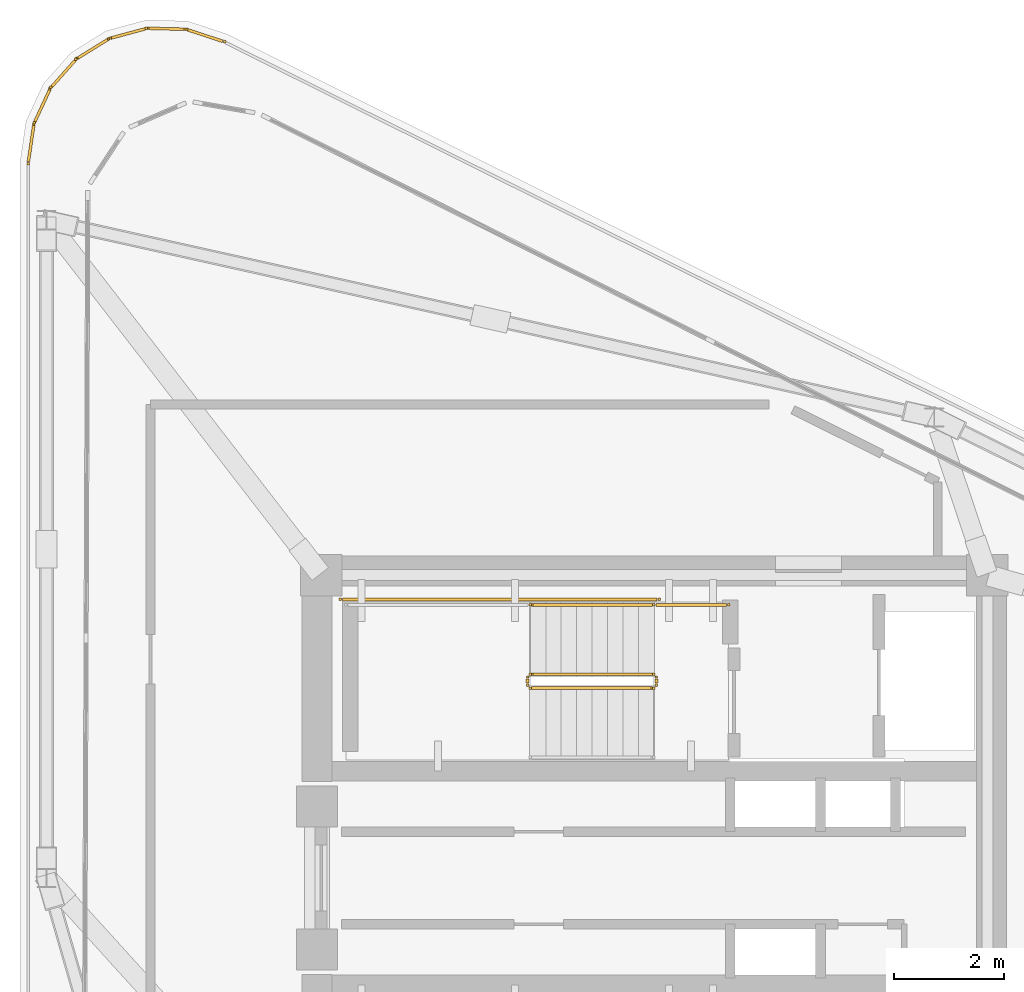
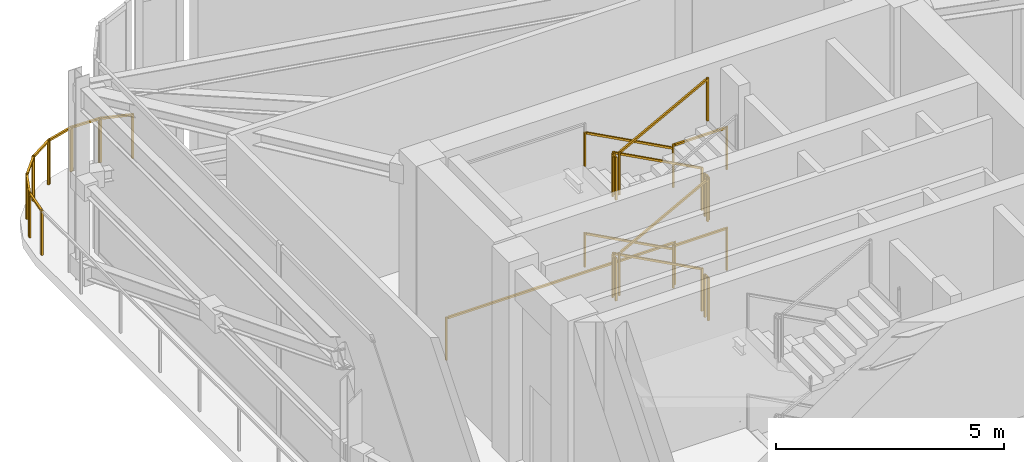
# One storey, part 8 of 9: 20 railings.
"""IFC4 building model written with IfcOpenShell, lengths in metres."""

from ifc_helpers import new_model, si_unit, direction, frame, origin, origin_2d, place, context, subcontext, project, spatial, rectangle, extrude, material, type_object, element, save


model = new_model("IFC4")

# Units and contexts
model_context = context("Model", 3, precision=1e-05, world=origin(), true_north=direction((0.0, 1.0)))
body_context = subcontext(model_context, "Body", "Model", "MODEL_VIEW")
ifc_project = project(units=[si_unit("LENGTHUNIT", "METRE"), si_unit("AREAUNIT", "SQUARE_METRE"), si_unit("VOLUMEUNIT", "CUBIC_METRE"), si_unit("PLANEANGLEUNIT", "RADIAN"), si_unit("MASSUNIT", "GRAM", prefix="KILO")], contexts=[model_context])

# Site, building, storey
site_placement = place(None, origin())
site = spatial("IfcSite", under=ifc_project, at=site_placement, CompositionType="ELEMENT")
building_placement = place(site_placement, origin())
building = spatial("IfcBuilding", under=site, at=building_placement, Name="Yunling Apex Tower", CompositionType="ELEMENT")
storey_placement = place(building_placement, frame((0.0, 0.0, 317.449951171875)))
storey = spatial("IfcBuildingStorey", under=building, at=storey_placement, Name="C01", CompositionType="ELEMENT", Elevation=317.449951171875)

# Railings
ifc_material_1 = material(Name="Bronze anodised aluminium", Category="aluminium")
railing_type_1 = type_object("IfcRailingType", Name="RL-BAL-1200", PredefinedType="BALUSTRADE", material=ifc_material_1)
railing_1_placement = place(storey_placement, frame((-11.37158203125, 12.97607421875, 0.0)))
element("IfcRailing", 1, at=railing_1_placement, inside=storey, type_object=railing_type_1, Name="RL-CRN-PERIM-C01-02", PredefinedType="BALUSTRADE", context=body_context, shape_type="SweptSolid", body=[
    extrude(rectangle(XDim=0.0439453125, YDim=0.0439453125, at=origin_2d()), origin(), (0.0, 0.0, 1.0), 1.199951171875),
    extrude(rectangle(XDim=0.0439453125, YDim=0.0439453125, at=origin_2d()), frame((0.1083984375, 0.741455078125, 0.0)), (0.0, 0.0, 1.0), 1.199951171875),
    extrude(rectangle(XDim=0.050048828125, YDim=0.050048828125, at=origin_2d()), frame((0.005615234375, 0.037841796875, 1.1748046875), z_axis=(0.144659139675, 0.989481547735, 0.0), x_axis=(-0.989481547735, 0.144659139675, 0.0)), (0.0, 0.0, 1.0), 0.672607421875),
])
railing_2_placement = place(storey_placement, frame((-11.271484375, 13.689208984375, 0.0)))
element("IfcRailing", 2, at=railing_2_placement, inside=storey, type_object=railing_type_1, Name="RL-CRN-PERIM-C01-03", PredefinedType="BALUSTRADE", context=body_context, shape_type="SweptSolid", body=[
    extrude(rectangle(XDim=0.0439453125, YDim=0.0439453125, at=origin_2d()), origin(), (0.0, 0.0, 1.0), 1.199951171875),
    extrude(rectangle(XDim=0.0439453125, YDim=0.0439453125, at=origin_2d()), frame((0.3115234375, 0.66943359375, 0.0)), (0.0, 0.0, 1.0), 1.199951171875),
    extrude(rectangle(XDim=0.050048828125, YDim=0.050048828125, at=origin_2d()), frame((0.01611328125, 0.03466796875, 1.1748046875), z_axis=(0.42190775415, 0.906638763228, 0.0), x_axis=(-0.906638763228, 0.42190775415, 0.0)), (0.0, 0.0, 1.0), 0.66162109375),
])
railing_3_placement = place(storey_placement, frame((-10.976318359375, 14.333740234375, 0.0)))
element("IfcRailing", 3, at=railing_3_placement, inside=storey, type_object=railing_type_1, Name="RL-CRN-PERIM-C01-04", PredefinedType="BALUSTRADE", context=body_context, shape_type="SweptSolid", body=[
    extrude(rectangle(XDim=0.0439453125, YDim=0.0439453125, at=origin_2d()), origin(), (0.0, 0.0, 1.0), 1.199951171875),
    extrude(rectangle(XDim=0.0439453125, YDim=0.0439453125, at=origin_2d()), frame((0.490234375, 0.55224609375, 0.0)), (0.0, 0.0, 1.0), 1.199951171875),
    extrude(rectangle(XDim=0.050048828125, YDim=0.050048828125, at=origin_2d()), frame((0.025390625, 0.028564453125, 1.1748046875), z_axis=(0.663871195013, 0.747846933825, 0.0), x_axis=(-0.747846933825, 0.663871195013, 0.0)), (0.0, 0.0, 1.0), 0.661865234375),
])
railing_4_placement = place(storey_placement, frame((-10.5087890625, 14.866943359375, 0.0)))
element("IfcRailing", 4, at=railing_4_placement, inside=storey, type_object=railing_type_1, Name="RL-CRN-PERIM-C01-05", PredefinedType="BALUSTRADE", context=body_context, shape_type="SweptSolid", body=[
    extrude(rectangle(XDim=0.0439453125, YDim=0.0439453125, at=origin_2d()), origin(), (0.0, 0.0, 1.0), 1.199951171875),
    extrude(rectangle(XDim=0.0439453125, YDim=0.0439453125, at=origin_2d()), frame((0.627685546875, 0.388671875, 0.0)), (0.0, 0.0, 1.0), 1.199951171875),
    extrude(rectangle(XDim=0.050048828125, YDim=0.050048828125, at=origin_2d()), frame((0.032470703125, 0.020263671875, 1.1748046875), z_axis=(0.850201713258, 0.526457070209, 0.0), x_axis=(-0.526457070209, 0.850201713258, 0.0)), (0.0, 0.0, 1.0), 0.66162109375),
])
railing_5_placement = place(storey_placement, frame((-9.908203125, 15.243896484375, 0.0)))
element("IfcRailing", 5, at=railing_5_placement, inside=storey, type_object=railing_type_1, Name="RL-CRN-PERIM-C01-06", PredefinedType="BALUSTRADE", context=body_context, shape_type="SweptSolid", body=[
    extrude(rectangle(XDim=0.0439453125, YDim=0.0439453125, at=origin_2d()), origin(), (0.0, 0.0, 1.0), 1.199951171875),
    extrude(rectangle(XDim=0.0439453125, YDim=0.0439453125, at=origin_2d()), frame((0.712890625, 0.19287109375, 0.0)), (0.0, 0.0, 1.0), 1.199951171875),
    extrude(rectangle(XDim=0.050048828125, YDim=0.050048828125, at=origin_2d()), frame((0.037109375, 0.010009765625, 1.1748046875), z_axis=(0.965295849321, 0.261158808549, 0.0), x_axis=(-0.261158808549, 0.965295849321, 0.0)), (0.0, 0.0, 1.0), 0.661865234375),
])
railing_6_placement = place(storey_placement, frame((-9.224853515625, 15.43310546875, 0.0)))
element("IfcRailing", 6, at=railing_6_placement, inside=storey, type_object=railing_type_1, Name="RL-CRN-PERIM-C01-07", PredefinedType="BALUSTRADE", context=body_context, shape_type="SweptSolid", body=[
    extrude(rectangle(XDim=0.0439453125, YDim=0.0439453125, at=origin_2d()), origin(), (0.0, 0.0, 1.0), 1.199951171875),
    extrude(rectangle(XDim=0.0439453125, YDim=0.0439453125, at=origin_2d()), frame((0.738037109375, -0.019287109375, 0.0)), (0.0, 0.0, 1.0), 1.199951171875),
    extrude(rectangle(XDim=0.050048828125, YDim=0.050048828125, at=origin_2d()), frame((0.038330078125, -0.0009765625, 1.1748046875), z_axis=(0.999658708465, -0.026124061518, 0.0), x_axis=(0.026124061518, 0.999658708465, 0.0)), (0.0, 0.0, 1.0), 0.66162109375),
])
railing_7_placement = place(storey_placement, frame((-8.515869140625, 15.4189453125, 0.0)))
element("IfcRailing", 7, at=railing_7_placement, inside=storey, type_object=railing_type_1, Name="RL-CRN-PERIM-C01-08", PredefinedType="BALUSTRADE", context=body_context, shape_type="SweptSolid", body=[
    extrude(rectangle(XDim=0.0439453125, YDim=0.0439453125, at=origin_2d()), origin(), (0.0, 0.0, 1.0), 1.199951171875),
    extrude(rectangle(XDim=0.0439453125, YDim=0.0439453125, at=origin_2d()), frame((0.712158203125, -0.2333984375, 0.0)), (0.0, 0.0, 1.0), 1.199951171875),
    extrude(rectangle(XDim=0.050048828125, YDim=0.050048828125, at=origin_2d()), frame((0.036376953125, -0.011962890625, 1.1748046875), z_axis=(0.950267478358, -0.311434936342, 0.0), x_axis=(0.311434936342, 0.950267478358, 0.0)), (0.0, 0.0, 1.0), 0.6728515625),
])
ifc_material_2 = material(Name="Steel Q355B", Category="steel")
railing_type_2 = type_object("IfcRailingType", Name="RL-GRD-1150", PredefinedType="GUARDRAIL", material=ifc_material_2)
railing_8_placement = place(storey_placement, frame((-0.010009765625, 3.699951171875, 0.150146484375)))
element("IfcRailing", 8, at=railing_8_placement, inside=storey, type_object=railing_type_2, Name="C01 ST-1 stair guard 1", PredefinedType="GUARDRAIL", context=body_context, shape_type="SweptSolid", body=[
    extrude(rectangle(XDim=0.0439453125, YDim=0.0439453125, at=origin_2d()), origin(), (0.0, 0.0, 1.0), 1.14990234375),
    extrude(rectangle(XDim=0.0439453125, YDim=0.0439453125, at=origin_2d()), frame((-2.239990234375, 0.0, 1.199951171875)), (0.0, 0.0, 1.0), 1.14990234375),
    extrude(rectangle(XDim=0.050048828125, YDim=0.050048828125, at=origin_2d()), frame((-0.03369140625, 0.0, 1.14306640625), z_axis=(-0.881487111273, 0.0, 0.472208081951), x_axis=(0.0, -1.0, 0.0)), (0.0, 0.0, 1.0), 2.464599609375),
])
railing_9_placement = place(storey_placement, frame((-2.300048828125, 3.64990234375, 1.35009765625)))
element("IfcRailing", 9, at=railing_9_placement, inside=storey, type_object=railing_type_2, Name="C01 ST-1 stair guard 2", PredefinedType="GUARDRAIL", context=body_context, shape_type="SweptSolid", body=[
    extrude(rectangle(XDim=0.0439453125, YDim=0.0439453125, at=origin_2d()), origin(), (0.0, 0.0, 1.0), 1.14990234375),
    extrude(rectangle(XDim=0.0439453125, YDim=0.0439453125, at=origin_2d()), frame((0.0, -0.14990234375, 0.0)), (0.0, 0.0, 1.0), 1.14990234375),
    extrude(rectangle(XDim=0.050048828125, YDim=0.050048828125, at=origin_2d()), frame((0.0, -0.038330078125, 1.125), z_axis=(0.0, -1.0, 0.0), x_axis=(1.0, 0.0, 0.0)), (0.0, 0.0, 1.0), 0.0732421875),
])
railing_10_placement = place(storey_placement, frame((-2.25, 3.449951171875, 1.5)))
element("IfcRailing", 10, at=railing_10_placement, inside=storey, type_object=railing_type_2, Name="C01 ST-1 stair guard 4", PredefinedType="GUARDRAIL", context=body_context, shape_type="SweptSolid", body=[
    extrude(rectangle(XDim=0.0439453125, YDim=0.0439453125, at=origin_2d()), origin(), (0.0, 0.0, 1.0), 1.14990234375),
    extrude(rectangle(XDim=0.0439453125, YDim=0.0439453125, at=origin_2d()), frame((2.239990234375, 0.0, 1.199951171875)), (0.0, 0.0, 1.0), 1.14990234375),
    extrude(rectangle(XDim=0.050048828125, YDim=0.050048828125, at=origin_2d()), frame((0.03369140625, 0.0, 1.14306640625), z_axis=(0.881487111273, 0.0, 0.472208081951), x_axis=(0.0, 1.0, 0.0)), (0.0, 0.0, 1.0), 2.464599609375),
])
railing_11_placement = place(storey_placement, frame((0.0400390625, 3.64990234375, 2.699951171875)))
element("IfcRailing", 11, at=railing_11_placement, inside=storey, type_object=railing_type_2, Name="C01 ST-1 stair guard 5", PredefinedType="GUARDRAIL", context=body_context, shape_type="SweptSolid", body=[
    extrude(rectangle(XDim=0.0439453125, YDim=0.0439453125, at=origin_2d()), origin(), (0.0, 0.0, 1.0), 1.14990234375),
    extrude(rectangle(XDim=0.0439453125, YDim=0.0439453125, at=origin_2d()), frame((0.0, -0.14990234375, 0.0)), (0.0, 0.0, 1.0), 1.14990234375),
    extrude(rectangle(XDim=0.050048828125, YDim=0.050048828125, at=origin_2d()), frame((0.0, -0.038330078125, 1.125), z_axis=(0.0, -1.0, 0.0), x_axis=(1.0, 0.0, 0.0)), (0.0, 0.0, 1.0), 0.0732421875),
])
railing_12_placement = place(storey_placement, frame((1.35009765625, 4.9599609375, 2.699951171875)))
element("IfcRailing", 12, at=railing_12_placement, inside=storey, type_object=railing_type_2, Name="C01 ST-1 stair guard 6", PredefinedType="GUARDRAIL", context=body_context, shape_type="SweptSolid", body=[
    extrude(rectangle(XDim=0.0439453125, YDim=0.0439453125, at=origin_2d()), origin(), (0.0, 0.0, 1.0), 1.14990234375),
    extrude(rectangle(XDim=0.0439453125, YDim=0.0439453125, at=origin_2d()), frame((-1.360107421875, 0.0, 0.0)), (0.0, 0.0, 1.0), 1.14990234375),
    extrude(rectangle(XDim=0.050048828125, YDim=0.050048828125, at=origin_2d()), frame((-0.038330078125, 0.0, 1.125), z_axis=(-1.0, 0.0, 0.0), x_axis=(0.0, -1.0, 0.0)), (0.0, 0.0, 1.0), 1.283447265625),
])
railing_13_placement = place(storey_placement, frame((-0.010009765625, 3.699951171875, 2.85009765625)))
element("IfcRailing", 13, at=railing_13_placement, inside=storey, type_object=railing_type_2, Name="C01 ST-1 stair guard 7", PredefinedType="GUARDRAIL", context=body_context, shape_type="SweptSolid", body=[
    extrude(rectangle(XDim=0.0439453125, YDim=0.0439453125, at=origin_2d()), origin(), (0.0, 0.0, 1.0), 1.14990234375),
    extrude(rectangle(XDim=0.0439453125, YDim=0.0439453125, at=origin_2d()), frame((-2.239990234375, 0.0, 1.199951171875)), (0.0, 0.0, 1.0), 1.14990234375),
    extrude(rectangle(XDim=0.050048828125, YDim=0.050048828125, at=origin_2d()), frame((-0.03369140625, 0.0, 1.14306640625), z_axis=(-0.881487111273, 0.0, 0.472208081951), x_axis=(0.0, -1.0, 0.0)), (0.0, 0.0, 1.0), 2.464599609375),
])
railing_14_placement = place(storey_placement, frame((-2.300048828125, 3.64990234375, 4.050048828125)))
element("IfcRailing", 14, at=railing_14_placement, inside=storey, type_object=railing_type_2, Name="C01 ST-1 stair guard 8", PredefinedType="GUARDRAIL", context=body_context, shape_type="SweptSolid", body=[
    extrude(rectangle(XDim=0.0439453125, YDim=0.0439453125, at=origin_2d()), origin(), (0.0, 0.0, 1.0), 1.14990234375),
    extrude(rectangle(XDim=0.0439453125, YDim=0.0439453125, at=origin_2d()), frame((0.0, -0.14990234375, 0.0)), (0.0, 0.0, 1.0), 1.14990234375),
    extrude(rectangle(XDim=0.050048828125, YDim=0.050048828125, at=origin_2d()), frame((0.0, -0.038330078125, 1.125), z_axis=(0.0, -1.0, 0.0), x_axis=(1.0, 0.0, 0.0)), (0.0, 0.0, 1.0), 0.0732421875),
])
railing_15_placement = place(storey_placement, frame((-2.25, 3.449951171875, 4.199951171875)))
element("IfcRailing", 15, at=railing_15_placement, inside=storey, type_object=railing_type_2, Name="C01 ST-1 stair guard 10", PredefinedType="GUARDRAIL", context=body_context, shape_type="SweptSolid", body=[
    extrude(rectangle(XDim=0.0439453125, YDim=0.0439453125, at=origin_2d()), origin(), (0.0, 0.0, 1.0), 1.14990234375),
    extrude(rectangle(XDim=0.0439453125, YDim=0.0439453125, at=origin_2d()), frame((2.239990234375, 0.0, 1.2001953125)), (0.0, 0.0, 1.0), 1.14990234375),
    extrude(rectangle(XDim=0.050048828125, YDim=0.050048828125, at=origin_2d()), frame((0.03369140625, 0.0, 1.14306640625), z_axis=(0.881447119201, 0.0, 0.472282728937), x_axis=(0.0, 1.0, 0.0)), (0.0, 0.0, 1.0), 2.464599609375),
])
railing_16_placement = place(storey_placement, frame((0.0400390625, 3.64990234375, 0.0)))
element("IfcRailing", 16, at=railing_16_placement, inside=storey, type_object=railing_type_2, Name="C01 ST-1 stair guard 11", PredefinedType="GUARDRAIL", context=body_context, shape_type="SweptSolid", body=[
    extrude(rectangle(XDim=0.0439453125, YDim=0.0439453125, at=origin_2d()), origin(), (0.0, 0.0, 1.0), 1.14990234375),
    extrude(rectangle(XDim=0.0439453125, YDim=0.0439453125, at=origin_2d()), frame((0.0, -0.14990234375, 0.0)), (0.0, 0.0, 1.0), 1.14990234375),
    extrude(rectangle(XDim=0.050048828125, YDim=0.050048828125, at=origin_2d()), frame((0.0, -0.038330078125, 1.125), z_axis=(0.0, -1.0, 0.0), x_axis=(1.0, 0.0, 0.0)), (0.0, 0.0, 1.0), 0.0732421875),
])
railing_17_placement = place(storey_placement, frame((1.35009765625, 4.9599609375, 0.0)))
element("IfcRailing", 17, at=railing_17_placement, inside=storey, type_object=railing_type_2, Name="C01 ST-1 stair guard 12", PredefinedType="GUARDRAIL", context=body_context, shape_type="SweptSolid", body=[
    extrude(rectangle(XDim=0.0439453125, YDim=0.0439453125, at=origin_2d()), origin(), (0.0, 0.0, 1.0), 1.14990234375),
    extrude(rectangle(XDim=0.0439453125, YDim=0.0439453125, at=origin_2d()), frame((-1.360107421875, 0.0, 0.0)), (0.0, 0.0, 1.0), 1.14990234375),
    extrude(rectangle(XDim=0.050048828125, YDim=0.050048828125, at=origin_2d()), frame((-0.038330078125, 0.0, 1.125), z_axis=(-1.0, 0.0, 0.0), x_axis=(0.0, -1.0, 0.0)), (0.0, 0.0, 1.0), 1.283447265625),
])
railing_18_placement = place(storey_placement, frame((0.090087890625, 5.06005859375, 0.0)))
element("IfcRailing", 18, at=railing_18_placement, inside=storey, type_object=railing_type_2, Name="C01 ST-1 stair guard 13", PredefinedType="GUARDRAIL", context=body_context, shape_type="SweptSolid", body=[
    extrude(rectangle(XDim=0.0439453125, YDim=0.0439453125, at=origin_2d()), origin(), (0.0, 0.0, 1.0), 1.14990234375),
    extrude(rectangle(XDim=0.0439453125, YDim=0.0439453125, at=origin_2d()), frame((-5.7900390625, 0.0, 0.0)), (0.0, 0.0, 1.0), 1.14990234375),
    extrude(rectangle(XDim=0.050048828125, YDim=0.050048828125, at=origin_2d()), frame((-0.038330078125, 0.0, 1.125), z_axis=(-1.0, 0.0, 0.0), x_axis=(0.0, -1.0, 0.0)), (0.0, 0.0, 1.0), 5.71337890625),
])
ifc_material_3 = material(Name="Silver anodised aluminium", Category="aluminium")
railing_type_3 = type_object("IfcRailingType", Name="RL-HND-900", PredefinedType="HANDRAIL", material=ifc_material_3)
for number, where, name in (
    (19, (-0.010009765625, 4.9599609375, 0.150146484375), "C01 ST-1 stair handrail 1"),
    (20, (-0.010009765625, 4.9599609375, 2.85009765625), "C01 ST-1 stair handrail 3"),
):
    element("IfcRailing", number, at=place(storey_placement, frame(where)), inside=storey, type_object=railing_type_3, Name=name, PredefinedType="HANDRAIL", context=body_context, shape_type="SweptSolid", body=[
        extrude(rectangle(XDim=0.0439453125, YDim=0.0439453125, at=origin_2d()), origin(), (0.0, 0.0, 1.0), 0.919921875),
        extrude(rectangle(XDim=0.0439453125, YDim=0.0439453125, at=origin_2d()), frame((-2.239990234375, 0.0, 1.199951171875)), (0.0, 0.0, 1.0), 0.919921875),
        extrude(rectangle(XDim=0.050048828125, YDim=0.050048828125, at=origin_2d()), frame((-0.03369140625, 0.0, 0.9130859375), z_axis=(-0.881487111273, 0.0, 0.472208081951), x_axis=(0.0, -1.0, 0.0)), (0.0, 0.0, 1.0), 2.464599609375),
    ])

save(model, "model.ifc")
